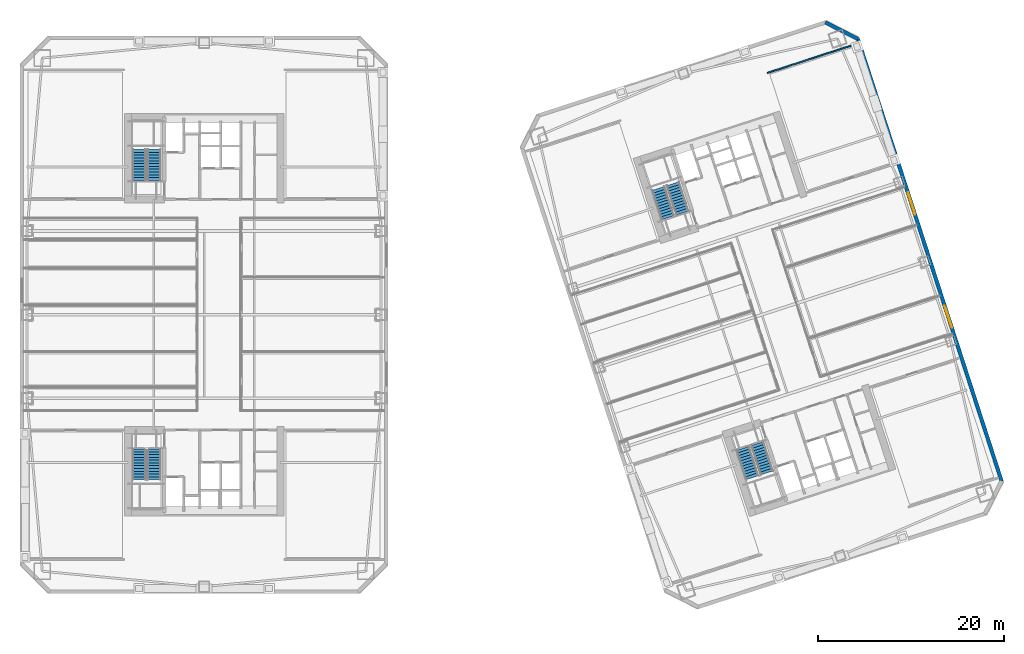
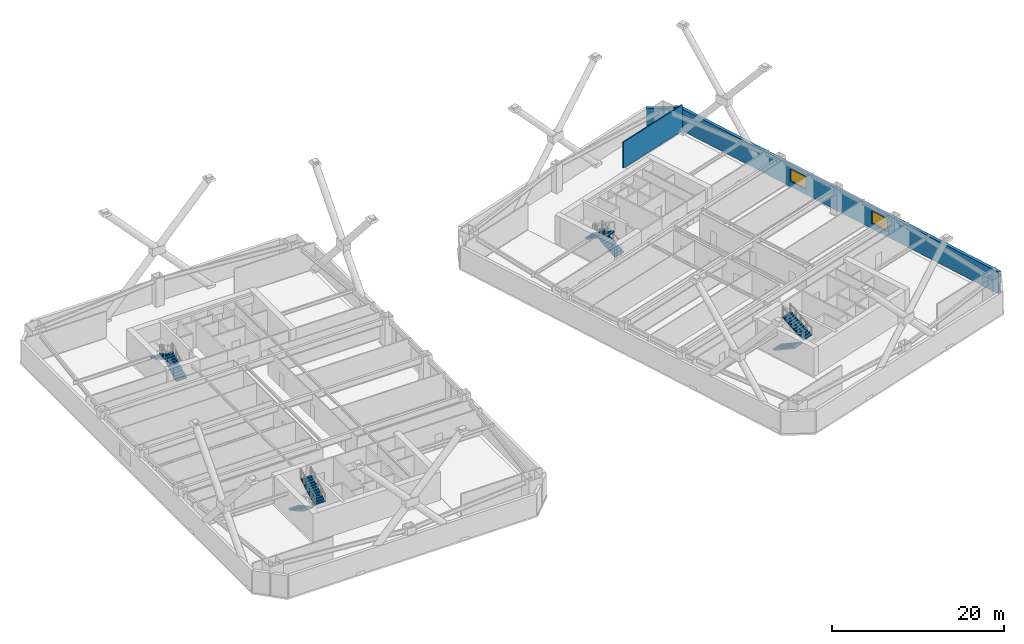
# One storey, part 9 of 18: 8 stair flights, 3 walls, 2 windows, 2 openings, 4 elements without a shape of their own.
"""IFC4 building model written with IfcOpenShell, lengths in metres."""

import ifcopenshell
import ifcopenshell.guid

model = None  # the IFC model being written
_history = None  # IfcOwnerHistory: only IFC2X3 demands one
_inside = {}  # id of a spatial element -> (the spatial element, [elements in it])
_under = {}  # id of a project, library or spatial element -> (it, [spatial elements below it])
_declared = {}  # id of a project -> (the project, [libraries it declares])
_typed = {}  # id of a type object -> (the type object, [elements of that type])
_made_of = {}  # id of a material, layer set ... -> (it, [elements and type objects made of it])


def new_model(schema):
    """Start an empty IFC model of exactly this schema.

    Asked for "IFC4X3", IfcOpenShell would pick the latest addendum, in which some entities
    have other attributes; the version numbers below select the first issue.
    IFC2X3 requires an IfcOwnerHistory on every rooted entity: one is made here for all.
    """
    global model, _history
    if schema == "IFC4X3":
        model = ifcopenshell.file(schema_version=(4, 3, 0, 0))
    else:
        model = ifcopenshell.file(schema=schema)
    _inside.clear()
    _under.clear()
    _declared.clear()
    _typed.clear()
    _made_of.clear()
    _history = None
    if model.schema == "IFC2X3":
        org = make("IfcOrganization", Name="unknown")
        user = make(
            "IfcPersonAndOrganization",
            ThePerson=make("IfcPerson", FamilyName="unknown"),
            TheOrganization=org,
        )
        app = make(
            "IfcApplication",
            ApplicationDeveloper=org,
            Version="unknown",
            ApplicationFullName="unknown",
            ApplicationIdentifier="unknown",
        )
        _history = make(
            "IfcOwnerHistory",
            OwningUser=user,
            OwningApplication=app,
            ChangeAction="ADDED",
            CreationDate=0,
        )
    return model


def make(cls, **values):
    """One entity of the class cls with the attributes given. An attribute that is None is left unset."""
    return model.create_entity(
        cls, **{name: value for name, value in values.items() if value is not None}
    )


def rooted(cls, **values):
    """An entity with a GlobalId (a new one), such as an element, a storey or a relation."""
    return make(cls, GlobalId=ifcopenshell.guid.new(), OwnerHistory=_history, **values)


def si_unit(unit_type, name, prefix=None):
    """IfcSIUnit, for example si_unit("LENGTHUNIT", "METRE", prefix="MILLI")."""
    return make("IfcSIUnit", UnitType=unit_type, Prefix=prefix, Name=name)


def assignment(units):
    """IfcUnitAssignment: the units of a project."""
    return None if units is None else make("IfcUnitAssignment", Units=units)


def point(xyz):
    """IfcCartesianPoint."""
    return None if xyz is None else make("IfcCartesianPoint", Coordinates=xyz)


def direction(xyz):
    """IfcDirection."""
    return None if xyz is None else make("IfcDirection", DirectionRatios=xyz)


def frame(location, z_axis=None, x_axis=None):
    """IfcAxis2Placement3D, a coordinate frame: its origin and axes. An axis left out is left unset."""
    return make(
        "IfcAxis2Placement3D",
        Location=point(location),
        Axis=direction(z_axis),
        RefDirection=direction(x_axis),
    )


def frame_2d(location, x_axis=None):
    """IfcAxis2Placement2D, a coordinate frame in the plane: its origin and x axis."""
    return make(
        "IfcAxis2Placement2D", Location=point(location), RefDirection=direction(x_axis)
    )


def origin():
    """The frame at (0, 0, 0) with its axes left unset."""
    return frame((0.0, 0.0, 0.0))


def place(relative_to, where):
    """IfcLocalPlacement: puts the frame where relative to a parent placement (None: the world)."""
    return make(
        "IfcLocalPlacement", PlacementRelTo=relative_to, RelativePlacement=where
    )


def context(
    kind, dimensions, precision=None, world=None, true_north=None, identifier=None
):
    """IfcGeometricRepresentationContext, for example the 3D "Model" context."""
    return make(
        "IfcGeometricRepresentationContext",
        ContextIdentifier=identifier,
        ContextType=kind,
        CoordinateSpaceDimension=dimensions,
        Precision=precision,
        WorldCoordinateSystem=world,
        TrueNorth=true_north,
    )


def subcontext(parent, identifier, kind, view, scale=None):
    """IfcGeometricRepresentationSubContext, for example "Body" below "Model"."""
    return make(
        "IfcGeometricRepresentationSubContext",
        ContextIdentifier=identifier,
        ContextType=kind,
        ParentContext=parent,
        TargetScale=scale,
        TargetView=view,
    )


def project(units=None, contexts=None):
    """IfcProject with its units and contexts."""
    return rooted(
        "IfcProject",
        Name="project",
        RepresentationContexts=contexts,
        UnitsInContext=assignment(units),
    )


def spatial(cls, under=None, at=None, **own):
    """A site, building, storey or space (cls), placed at a placement, below another one or the project."""
    s = rooted(cls, ObjectPlacement=at, **own)
    if under is not None:
        _under.setdefault(under.id(), (under, []))[1].append(s)
    return s


def polyline(points):
    """IfcPolyline through the points."""
    return make("IfcPolyline", Points=[point(p) for p in points])


def profile(cls, at=None, kind="AREA", **sizes):
    """A parametric profile (cls). Its sizes go by their IFC names, for example OverallWidth=200.0."""
    return make(cls, ProfileType=kind, Position=at, **sizes)


def rectangle(**sizes):
    """IfcRectangleProfileDef."""
    return profile("IfcRectangleProfileDef", **sizes)


def outline(outer, holes=None, kind="AREA"):
    """IfcArbitraryClosedProfileDef: a profile drawn as a closed curve; with holes, ...WithVoids."""
    if holes is None:
        return make("IfcArbitraryClosedProfileDef", ProfileType=kind, OuterCurve=outer)
    return make(
        "IfcArbitraryProfileDefWithVoids",
        ProfileType=kind,
        OuterCurve=outer,
        InnerCurves=holes,
    )


def extrude(swept, where, along, depth):
    """IfcExtrudedAreaSolid: the profile swept, set in the frame where, extruded along a direction by depth."""
    return make(
        "IfcExtrudedAreaSolid",
        SweptArea=swept,
        Position=where,
        ExtrudedDirection=direction(along),
        Depth=depth,
    )


def shape(context_of_items, identifier, shape_type, items):
    """IfcShapeRepresentation: the items that make up one representation, for example the "Body"."""
    return make(
        "IfcShapeRepresentation",
        ContextOfItems=context_of_items,
        RepresentationIdentifier=identifier,
        RepresentationType=shape_type,
        Items=items,
    )


def material(Name=None, Category=None):
    """IfcMaterial."""
    return make("IfcMaterial", Name=Name, Category=Category)


def layer(
    of_material, thickness, ventilated=None, Name=None, Category=None, Priority=None
):
    """IfcMaterialLayer: one layer of a wall or slab, of a material (None: an air gap)."""
    return make(
        "IfcMaterialLayer",
        Material=of_material,
        LayerThickness=thickness,
        IsVentilated=ventilated,
        Name=Name,
        Category=Category,
        Priority=Priority,
    )


def layer_set(layers, Name=None):
    """IfcMaterialLayerSet."""
    return make("IfcMaterialLayerSet", MaterialLayers=layers, LayerSetName=Name)


def made_of(thing, what):
    """Note that an element or type object is made of a material, layer set ...; save() writes the relation."""
    if what is not None:
        _made_of.setdefault(what.id(), (what, []))[1].append(thing)
    return thing


def type_object(cls, material=None, **own):
    """A type object (cls), such as IfcWallType, which elements share."""
    return made_of(rooted(cls, **own), material)


def element(
    cls,
    number,
    at=None,
    inside=None,
    cuts=None,
    type_object=None,
    material=None,
    context=None,
    identifier="Body",
    shape_type=None,
    held_by="IfcProductDefinitionShape",
    body=None,
    shapes=None,
    **own,
):
    """One element of the class cls, such as IfcWall. Its Tag is "e" and its number.

    at: its placement. inside: the storey or other place that contains it. cuts: it is an
    opening in that element (IfcRelVoidsElement). A single representation is given by context,
    identifier, shape_type and body (its items); several are given by shapes. held_by: the class
    of the entity that holds the representations. save() writes the other relations.
    """
    e = rooted(cls, Tag="e%d" % number, ObjectPlacement=at, **own)
    if body is not None:
        shapes = [shape(context, identifier, shape_type, body)]
    if shapes is not None:
        e.Representation = make(held_by, Representations=shapes)
    if inside is not None:
        _inside.setdefault(inside.id(), (inside, []))[1].append(e)
    if cuts is not None:
        rooted(
            "IfcRelVoidsElement", RelatingBuildingElement=cuts, RelatedOpeningElement=e
        )
    if type_object is not None:
        _typed.setdefault(type_object.id(), (type_object, []))[1].append(e)
    return made_of(e, material)


def fill(opening, filler):
    """IfcRelFillsElement: the door or window that sits in an opening."""
    return rooted(
        "IfcRelFillsElement",
        RelatingOpeningElement=opening,
        RelatedBuildingElement=filler,
    )


def aggregate(whole, parts):
    """IfcRelAggregates: a whole, such as a stair, and the parts it consists of."""
    return rooted("IfcRelAggregates", RelatingObject=whole, RelatedObjects=parts)


def save(model, path):
    """Write the relations noted so far, then the file.

    IfcRelAggregates (storeys below a building ...), IfcRelContainedInSpatialStructure (elements
    in a storey), IfcRelDefinesByType, IfcRelAssociatesMaterial and IfcRelDeclares: one each for
    every whole, place, type object, material and project.
    """
    for whole, parts in _under.values():
        aggregate(whole, parts)
    for where, things in _inside.values():
        rooted(
            "IfcRelContainedInSpatialStructure",
            RelatedElements=things,
            RelatingStructure=where,
        )
    for kind, things in _typed.values():
        rooted("IfcRelDefinesByType", RelatedObjects=things, RelatingType=kind)
    for what, things in _made_of.values():
        rooted("IfcRelAssociatesMaterial", RelatedObjects=things, RelatingMaterial=what)
    for by, libraries in _declared.values():
        rooted("IfcRelDeclares", RelatingContext=by, RelatedDefinitions=libraries)
    model.write(path)


model = new_model("IFC4")

# Units and contexts
model_context = context("Model", 3, precision=1e-05, world=origin(), true_north=direction((0.0, 1.0)))
body_context = subcontext(model_context, "Body", "Model", "MODEL_VIEW")
ifc_project = project(units=[si_unit("LENGTHUNIT", "METRE"), si_unit("AREAUNIT", "SQUARE_METRE"), si_unit("VOLUMEUNIT", "CUBIC_METRE"), si_unit("PLANEANGLEUNIT", "RADIAN"), si_unit("MASSUNIT", "GRAM", prefix="KILO")], contexts=[model_context])

# Site, building, storey
site_placement = place(None, origin())
site = spatial("IfcSite", under=ifc_project, at=site_placement, CompositionType="ELEMENT")
building_placement = place(site_placement, origin())
building = spatial("IfcBuilding", under=site, at=building_placement, Name="Qiaolan Cultural Towers", CompositionType="ELEMENT")
storey_placement = place(building_placement, frame((0.0, 0.0, 42.0)))
storey = spatial("IfcBuildingStorey", under=building, at=storey_placement, Name="L09", CompositionType="ELEMENT", Elevation=42.0)

# Wall
ifc_material_1 = material(Name="Precast Concrete C50 Honed Stone Pier", Category="masonry")
ifc_layer_1 = layer(ifc_material_1, 0.39990234375)
ifc_layer_set_1 = layer_set([ifc_layer_1], Name="Precast Concrete C50 Honed Stone Pier")
wall_type_1 = type_object("IfcWallType", Name="WL-EXT-PIER-400", PredefinedType="SOLIDWALL", material=ifc_layer_set_1)
wall_1_placement = place(storey_placement, frame((96.81640625, 65.445556640625, 0.0), z_axis=(0.0, 0.0, 1.0), x_axis=(0.890998089617, -0.454007053137, 0.0)))
element("IfcWall", 1, at=wall_1_placement, inside=storey, type_object=wall_type_1, Name="L09 East Tower Precast Pier Facade Wall F4", PredefinedType="SOLIDWALL", context=body_context, shape_type="SweptSolid", body=[
    extrude(rectangle(XDim=3.9599609375, YDim=0.39990234375, at=frame_2d((1.97998046875, 0.0))), origin(), (0.0, 0.0, 1.0), 3.10009765625),
])

# Wall, openings, windows
wall_2_placement = place(storey_placement, frame((100.3447265625, 63.647705078125, 0.0), z_axis=(0.0, 0.0, 1.0), x_axis=(0.309014526607, -0.951057318118, 0.0)))
wall_2 = element("IfcWall", 2, at=wall_2_placement, inside=storey, type_object=wall_type_1, Name="L09 East Tower Precast Pier Facade Wall F5", PredefinedType="SOLIDWALL", context=body_context, shape_type="SweptSolid", body=[
    extrude(rectangle(XDim=49.999755859375, YDim=0.39990234375, at=frame_2d((25.0, 0.0))), origin(), (0.0, 0.0, 1.0), 3.10009765625),
])
opening_1_placement = place(wall_2_placement, frame((30.14990234375, 0.0, 0.75)))
opening_1 = element("IfcOpeningElement", 3, at=opening_1_placement, cuts=wall_2, Name="Opening W-01", PredefinedType="OPENING", context=body_context, shape_type="SweptSolid", body=[
    extrude(rectangle(XDim=2.5, YDim=1.75, at=frame_2d((1.25, 0.875))), frame((0.0, 0.2099609375, 0.0), z_axis=(0.0, -1.0, 0.0), x_axis=(1.0, 0.0, 0.0)), (0.0, 0.0, 1.0), 0.419921875),
])
opening_2_placement = place(wall_2_placement, frame((17.35009765625, 0.0, 0.75)))
opening_2 = element("IfcOpeningElement", 4, at=opening_2_placement, cuts=wall_2, Name="Opening W-01", PredefinedType="OPENING", context=body_context, shape_type="SweptSolid", body=[
    extrude(rectangle(XDim=2.5, YDim=1.75, at=frame_2d((1.25, 0.875))), frame((0.0, 0.2099609375, 0.0), z_axis=(0.0, -1.0, 0.0), x_axis=(1.0, 0.0, 0.0)), (0.0, 0.0, 1.0), 0.419921875),
])
ifc_material_2 = material(Name="Thermally Broken Aluminium Triple Low-E Glazing", Category="aluminium")
window_type = type_object("IfcWindowType", Name="WN-CHIC-2500", PartitioningType="SINGLE_PANEL", PredefinedType="WINDOW", material=ifc_material_2)
window_1_placement = place(opening_1_placement, origin())
window_1 = element("IfcWindow", 5, at=window_1_placement, inside=storey, type_object=window_type, Name="L09 T2 E Chicago Bay Window 1", OverallHeight=1.75, OverallWidth=2.5, PartitioningType="TRIPLE_PANEL_VERTICAL", PredefinedType="WINDOW", context=body_context, shape_type="SweptSolid", body=[
    extrude(rectangle(XDim=2.5, YDim=1.75, at=frame_2d((1.25, 0.875))), frame((0.0, 0.030029296875, 0.0), z_axis=(0.0, -1.0, 0.0), x_axis=(1.0, 0.0, 0.0)), (0.0, 0.0, 1.0), 0.06005859375),
])
fill(opening_1, window_1)
window_2_placement = place(opening_2_placement, origin())
window_2 = element("IfcWindow", 6, at=window_2_placement, inside=storey, type_object=window_type, Name="L09 T2 E Chicago Bay Window 2", OverallHeight=1.75, OverallWidth=2.5, PartitioningType="TRIPLE_PANEL_VERTICAL", PredefinedType="WINDOW", context=body_context, shape_type="SweptSolid", body=[
    extrude(rectangle(XDim=2.5, YDim=1.75, at=frame_2d((1.25, 0.875))), frame((0.0, 0.030029296875, 0.0), z_axis=(0.0, -1.0, 0.0), x_axis=(1.0, 0.0, 0.0)), (0.0, 0.0, 1.0), 0.06005859375),
])
fill(opening_2, window_2)

# Wall
ifc_material_3 = material(Name="Autoclaved Aerated Concrete Block B06", Category="concrete")
ifc_layer_2 = layer(ifc_material_3, 0.14990234375)
ifc_layer_set_2 = layer_set([ifc_layer_2], Name="Autoclaved Aerated Concrete Block B06")
wall_type_2 = type_object("IfcWallType", Name="WL-PART-150", PredefinedType="PARTITIONING", material=ifc_layer_set_2)
wall_3_placement = place(storey_placement, frame((90.5927734375, 60.006103515625, 0.0), z_axis=(0.0, 0.0, 1.0), x_axis=(0.951059043131, 0.309009217467, 0.0)))
element("IfcWall", 7, at=wall_3_placement, inside=storey, type_object=wall_type_2, Name="L09 T2 Flank Wall FLK-NE", PredefinedType="PARTITIONING", context=body_context, shape_type="SweptSolid", body=[
    extrude(rectangle(XDim=10.199951171875, YDim=0.14990234375, at=frame_2d((5.10009765625, 0.0))), origin(), (0.0, 0.0, 1.0), 3.705078125),
])

# Stair, stair flights
ifc_material_4 = material(Name="Concrete C45", Category="concrete")
stair_type = type_object("IfcStairType", Name="STR-CORE-1500", PredefinedType="HALF_TURN_STAIR", material=ifc_material_4)
stair_1_placement = place(storey_placement, origin())
stair_1 = element("IfcStair", 8, at=stair_1_placement, inside=storey, type_object=stair_type, Name="L09 Smokeproof Exit Stair ST-W1", PredefinedType="HALF_TURN_STAIR")
ifc_material_5 = material(Name="Concrete C45", Category="concrete")
stair_flight_type = type_object("IfcStairFlightType", Name="STR-CORE-1500-FL", PredefinedType="STRAIGHT", material=ifc_material_5)
stair_flight_1_placement = place(storey_placement, frame((23.02001953125, 19.550048828125, 0.0), z_axis=(0.0, 0.0, 1.0), x_axis=(0.0, -1.0, 0.0)))
stair_flight_1 = element("IfcStairFlight", 9, at=stair_flight_1_placement, type_object=stair_flight_type, Name="ST-W1 flight 1", NumberOfRisers=12, NumberOfTreads=11, PredefinedType="STRAIGHT", RiserHeight=0.166666667, TreadLength=0.3, context=body_context, shape_type="SweptSolid", body=[
    extrude(outline(polyline([(0.0, 0.0), (0.0, 0.166748046875), (0.300048828125, 0.166748046875), (0.300048828125, 0.333251953125), (0.60009765625, 0.333251953125), (0.60009765625, 0.5), (0.89990234375, 0.5), (0.89990234375, 0.666748046875), (1.199951171875, 0.666748046875), (1.199951171875, 0.833251953125), (1.5, 0.833251953125), (1.5, 1.0), (1.800048828125, 1.0), (1.800048828125, 1.166748046875), (2.10009765625, 1.166748046875), (2.10009765625, 1.333251953125), (2.39990234375, 1.333251953125), (2.39990234375, 1.5), (2.699951171875, 1.5), (2.699951171875, 1.666748046875), (3.0, 1.666748046875), (3.0, 1.833251953125), (3.300048828125, 1.833251953125), (3.300048828125, 2.0), (3.300048828125, 1.661865234375), (0.30859375, 0.0), (0.0, 0.0)])), frame((0.0, 0.719970703125, 0.0), z_axis=(0.0, -1.0, 0.0), x_axis=(1.0, 0.0, 0.0)), (0.0, 0.0, 1.0), 1.43994140625),
])
stair_flight_2_placement = place(storey_placement, frame((24.659912109375, 16.25, 2.0), z_axis=(0.0, 0.0, 1.0), x_axis=(0.0, 1.0, 0.0)))
stair_flight_2 = element("IfcStairFlight", 10, at=stair_flight_2_placement, type_object=stair_flight_type, Name="ST-W1 flight 2", NumberOfRisers=12, NumberOfTreads=11, PredefinedType="STRAIGHT", RiserHeight=0.166666667, TreadLength=0.3, context=body_context, shape_type="SweptSolid", body=[
    extrude(outline(polyline([(0.0, 0.0), (0.0, 0.166748046875), (0.300048828125, 0.166748046875), (0.300048828125, 0.333251953125), (0.60009765625, 0.333251953125), (0.60009765625, 0.5), (0.89990234375, 0.5), (0.89990234375, 0.666748046875), (1.199951171875, 0.666748046875), (1.199951171875, 0.833251953125), (1.5, 0.833251953125), (1.5, 1.0), (1.800048828125, 1.0), (1.800048828125, 1.166748046875), (2.10009765625, 1.166748046875), (2.10009765625, 1.333251953125), (2.39990234375, 1.333251953125), (2.39990234375, 1.5), (2.699951171875, 1.5), (2.699951171875, 1.666748046875), (3.0, 1.666748046875), (3.0, 1.833251953125), (3.300048828125, 1.833251953125), (3.300048828125, 2.0), (3.300048828125, 1.661865234375), (0.30859375, 0.0), (0.0, 0.0)])), frame((0.0, 0.719970703125, 0.0), z_axis=(0.0, -1.0, 0.0), x_axis=(1.0, 0.0, 0.0)), (0.0, 0.0, 1.0), 1.43994140625),
])
aggregate(stair_1, [stair_flight_1, stair_flight_2])

stair_2_placement = place(storey_placement, origin())
stair_2 = element("IfcStair", 11, at=stair_2_placement, inside=storey, type_object=stair_type, Name="L09 Smokeproof Exit Stair ST-W2", PredefinedType="HALF_TURN_STAIR")
stair_flight_3_placement = place(storey_placement, frame((24.659912109375, 48.449951171875, 0.0), z_axis=(0.0, 0.0, 1.0), x_axis=(0.0, 1.0, 0.0)))
stair_flight_3 = element("IfcStairFlight", 12, at=stair_flight_3_placement, type_object=stair_flight_type, Name="ST-W2 flight 1", NumberOfRisers=12, NumberOfTreads=11, PredefinedType="STRAIGHT", RiserHeight=0.166666667, TreadLength=0.3, context=body_context, shape_type="SweptSolid", body=[
    extrude(outline(polyline([(0.0, 0.0), (0.0, 0.166748046875), (0.300048828125, 0.166748046875), (0.300048828125, 0.333251953125), (0.60009765625, 0.333251953125), (0.60009765625, 0.5), (0.89990234375, 0.5), (0.89990234375, 0.666748046875), (1.199951171875, 0.666748046875), (1.199951171875, 0.833251953125), (1.5, 0.833251953125), (1.5, 1.0), (1.800048828125, 1.0), (1.800048828125, 1.166748046875), (2.10009765625, 1.166748046875), (2.10009765625, 1.333251953125), (2.39990234375, 1.333251953125), (2.39990234375, 1.5), (2.699951171875, 1.5), (2.699951171875, 1.666748046875), (3.0, 1.666748046875), (3.0, 1.833251953125), (3.300048828125, 1.833251953125), (3.300048828125, 2.0), (3.300048828125, 1.661865234375), (0.30859375, 0.0), (0.0, 0.0)])), frame((0.0, 0.719970703125, 0.0), z_axis=(0.0, -1.0, 0.0), x_axis=(1.0, 0.0, 0.0)), (0.0, 0.0, 1.0), 1.43994140625),
])
stair_flight_4_placement = place(storey_placement, frame((23.02001953125, 51.75, 2.0), z_axis=(0.0, 0.0, 1.0), x_axis=(0.0, -1.0, 0.0)))
stair_flight_4 = element("IfcStairFlight", 13, at=stair_flight_4_placement, type_object=stair_flight_type, Name="ST-W2 flight 2", NumberOfRisers=12, NumberOfTreads=11, PredefinedType="STRAIGHT", RiserHeight=0.166666667, TreadLength=0.3, context=body_context, shape_type="SweptSolid", body=[
    extrude(outline(polyline([(0.0, 0.0), (0.0, 0.166748046875), (0.300048828125, 0.166748046875), (0.300048828125, 0.333251953125), (0.60009765625, 0.333251953125), (0.60009765625, 0.5), (0.89990234375, 0.5), (0.89990234375, 0.666748046875), (1.199951171875, 0.666748046875), (1.199951171875, 0.833251953125), (1.5, 0.833251953125), (1.5, 1.0), (1.800048828125, 1.0), (1.800048828125, 1.166748046875), (2.10009765625, 1.166748046875), (2.10009765625, 1.333251953125), (2.39990234375, 1.333251953125), (2.39990234375, 1.5), (2.699951171875, 1.5), (2.699951171875, 1.666748046875), (3.0, 1.666748046875), (3.0, 1.833251953125), (3.300048828125, 1.833251953125), (3.300048828125, 2.0), (3.300048828125, 1.661865234375), (0.30859375, 0.0), (0.0, 0.0)])), frame((0.0, 0.719970703125, 0.0), z_axis=(0.0, -1.0, 0.0), x_axis=(1.0, 0.0, 0.0)), (0.0, 0.0, 1.0), 1.43994140625),
])
aggregate(stair_2, [stair_flight_3, stair_flight_4])

stair_3_placement = place(storey_placement, origin())
stair_3 = element("IfcStair", 14, at=stair_3_placement, inside=storey, type_object=stair_type, Name="L09 Smokeproof Exit Stair ST-E1", PredefinedType="HALF_TURN_STAIR")
stair_flight_5_placement = place(storey_placement, frame((87.96484375, 19.6171875, 0.0), z_axis=(0.0, 0.0, 1.0), x_axis=(0.309016994375, -0.951056516295, 0.0)))
stair_flight_5 = element("IfcStairFlight", 15, at=stair_flight_5_placement, type_object=stair_flight_type, Name="ST-E1 flight 1", NumberOfRisers=12, NumberOfTreads=11, PredefinedType="STRAIGHT", RiserHeight=0.166666667, TreadLength=0.3, context=body_context, shape_type="SweptSolid", body=[
    extrude(outline(polyline([(0.0, 0.0), (0.0, 0.166748046875), (0.300048828125, 0.166748046875), (0.300048828125, 0.333251953125), (0.60009765625, 0.333251953125), (0.60009765625, 0.5), (0.89990234375, 0.5), (0.89990234375, 0.666748046875), (1.199951171875, 0.666748046875), (1.199951171875, 0.833251953125), (1.5, 0.833251953125), (1.5, 1.0), (1.800048828125, 1.0), (1.800048828125, 1.166748046875), (2.10009765625, 1.166748046875), (2.10009765625, 1.333251953125), (2.39990234375, 1.333251953125), (2.39990234375, 1.5), (2.699951171875, 1.5), (2.699951171875, 1.666748046875), (3.0, 1.666748046875), (3.0, 1.833251953125), (3.300048828125, 1.833251953125), (3.300048828125, 2.0), (3.300048828125, 1.661865234375), (0.30859375, 0.0), (0.0, 0.0)])), frame((0.0, 0.719970703125, 0.0), z_axis=(0.0, -1.0, 0.0), x_axis=(1.0, 0.0, 0.0)), (0.0, 0.0, 1.0), 1.43994140625),
])
stair_flight_6_placement = place(storey_placement, frame((90.54443359375, 16.985595703125, 2.0), z_axis=(0.0, 0.0, 1.0), x_axis=(-0.309016994375, 0.951056516295, 0.0)))
stair_flight_6 = element("IfcStairFlight", 16, at=stair_flight_6_placement, type_object=stair_flight_type, Name="ST-E1 flight 2", NumberOfRisers=12, NumberOfTreads=11, PredefinedType="STRAIGHT", RiserHeight=0.166666667, TreadLength=0.3, context=body_context, shape_type="SweptSolid", body=[
    extrude(outline(polyline([(0.0, 0.0), (0.0, 0.166748046875), (0.300048828125, 0.166748046875), (0.300048828125, 0.333251953125), (0.60009765625, 0.333251953125), (0.60009765625, 0.5), (0.89990234375, 0.5), (0.89990234375, 0.666748046875), (1.199951171875, 0.666748046875), (1.199951171875, 0.833251953125), (1.5, 0.833251953125), (1.5, 1.0), (1.800048828125, 1.0), (1.800048828125, 1.166748046875), (2.10009765625, 1.166748046875), (2.10009765625, 1.333251953125), (2.39990234375, 1.333251953125), (2.39990234375, 1.5), (2.699951171875, 1.5), (2.699951171875, 1.666748046875), (3.0, 1.666748046875), (3.0, 1.833251953125), (3.300048828125, 1.833251953125), (3.300048828125, 2.0), (3.300048828125, 1.661865234375), (0.30859375, 0.0), (0.0, 0.0)])), frame((0.0, 0.719970703125, 0.0), z_axis=(0.0, -1.0, 0.0), x_axis=(1.0, 0.0, 0.0)), (0.0, 0.0, 1.0), 1.43994140625),
])
aggregate(stair_3, [stair_flight_5, stair_flight_6])

stair_4_placement = place(storey_placement, origin())
stair_4 = element("IfcStair", 17, at=stair_4_placement, inside=storey, type_object=stair_type, Name="L09 Smokeproof Exit Stair ST-E2", PredefinedType="HALF_TURN_STAIR")
stair_flight_7_placement = place(storey_placement, frame((81.459228515625, 44.946533203125, 0.0), z_axis=(0.0, 0.0, 1.0), x_axis=(-0.309016994375, 0.951056516295, 0.0)))
stair_flight_7 = element("IfcStairFlight", 18, at=stair_flight_7_placement, type_object=stair_flight_type, Name="ST-E2 flight 1", NumberOfRisers=12, NumberOfTreads=11, PredefinedType="STRAIGHT", RiserHeight=0.166666667, TreadLength=0.3, context=body_context, shape_type="SweptSolid", body=[
    extrude(outline(polyline([(0.0, 0.0), (0.0, 0.166748046875), (0.300048828125, 0.166748046875), (0.300048828125, 0.333251953125), (0.60009765625, 0.333251953125), (0.60009765625, 0.5), (0.89990234375, 0.5), (0.89990234375, 0.666748046875), (1.199951171875, 0.666748046875), (1.199951171875, 0.833251953125), (1.5, 0.833251953125), (1.5, 1.0), (1.800048828125, 1.0), (1.800048828125, 1.166748046875), (2.10009765625, 1.166748046875), (2.10009765625, 1.333251953125), (2.39990234375, 1.333251953125), (2.39990234375, 1.5), (2.699951171875, 1.5), (2.699951171875, 1.666748046875), (3.0, 1.666748046875), (3.0, 1.833251953125), (3.300048828125, 1.833251953125), (3.300048828125, 2.0), (3.300048828125, 1.661865234375), (0.30859375, 0.0), (0.0, 0.0)])), frame((0.0, 0.719970703125, 0.0), z_axis=(0.0, -1.0, 0.0), x_axis=(1.0, 0.0, 0.0)), (0.0, 0.0, 1.0), 1.43994140625),
])
stair_flight_8_placement = place(storey_placement, frame((78.8798828125, 47.578125, 2.0), z_axis=(0.0, 0.0, 1.0), x_axis=(0.309016994375, -0.951056516295, 0.0)))
stair_flight_8 = element("IfcStairFlight", 19, at=stair_flight_8_placement, type_object=stair_flight_type, Name="ST-E2 flight 2", NumberOfRisers=12, NumberOfTreads=11, PredefinedType="STRAIGHT", RiserHeight=0.166666667, TreadLength=0.3, context=body_context, shape_type="SweptSolid", body=[
    extrude(outline(polyline([(0.0, 0.0), (0.0, 0.166748046875), (0.300048828125, 0.166748046875), (0.300048828125, 0.333251953125), (0.60009765625, 0.333251953125), (0.60009765625, 0.5), (0.89990234375, 0.5), (0.89990234375, 0.666748046875), (1.199951171875, 0.666748046875), (1.199951171875, 0.833251953125), (1.5, 0.833251953125), (1.5, 1.0), (1.800048828125, 1.0), (1.800048828125, 1.166748046875), (2.10009765625, 1.166748046875), (2.10009765625, 1.333251953125), (2.39990234375, 1.333251953125), (2.39990234375, 1.5), (2.699951171875, 1.5), (2.699951171875, 1.666748046875), (3.0, 1.666748046875), (3.0, 1.833251953125), (3.300048828125, 1.833251953125), (3.300048828125, 2.0), (3.300048828125, 1.661865234375), (0.30859375, 0.0), (0.0, 0.0)])), frame((0.0, 0.719970703125, 0.0), z_axis=(0.0, -1.0, 0.0), x_axis=(1.0, 0.0, 0.0)), (0.0, 0.0, 1.0), 1.43994140625),
])
aggregate(stair_4, [stair_flight_7, stair_flight_8])

save(model, "model.ifc")
